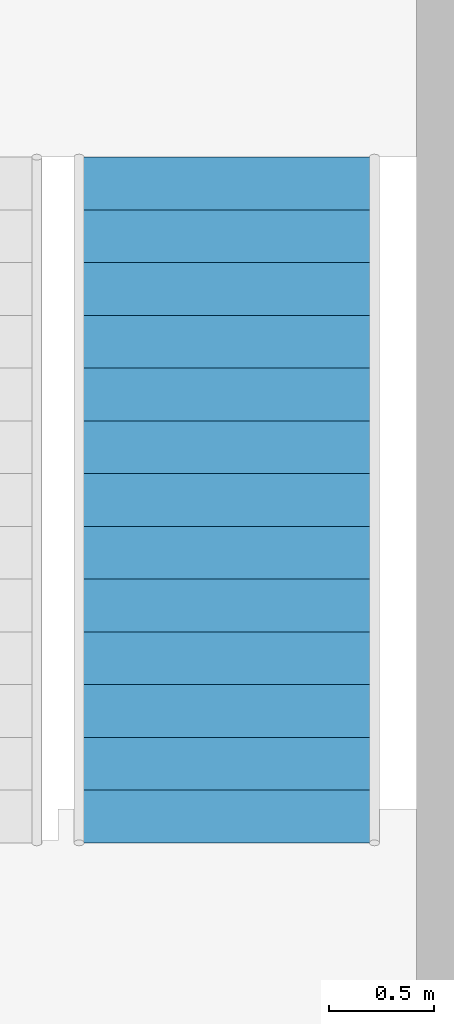
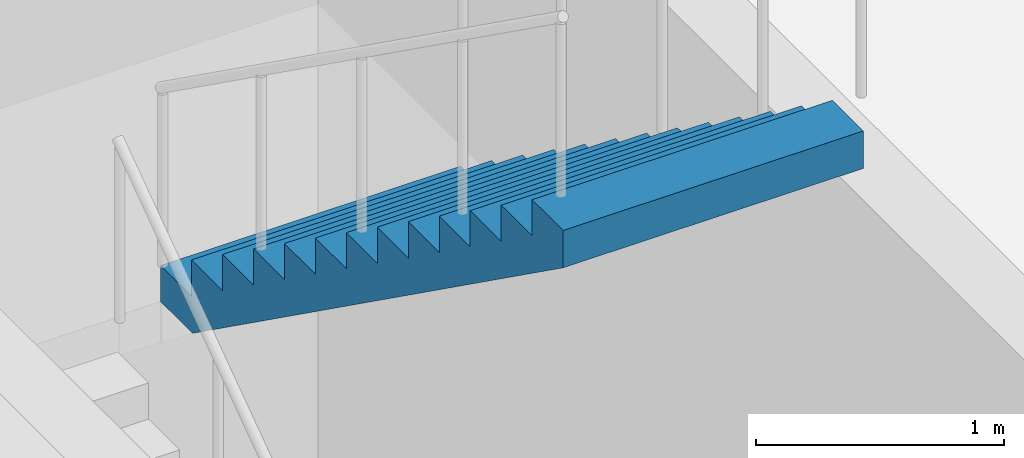
# One storey, part 13 of 18: 1 stair flight, 1 element without a shape of its own.
"""IFC4 building model written with IfcOpenShell, lengths in metres."""

from ifc_helpers import new_model, si_unit, direction, frame, origin, place, context, subcontext, project, spatial, polyline, outline, extrude, material, type_object, element, aggregate, save


model = new_model("IFC4")

# Units and contexts
model_context = context("Model", 3, precision=1e-05, world=origin(), true_north=direction((0.0, 1.0)))
body_context = subcontext(model_context, "Body", "Model", "MODEL_VIEW")
ifc_project = project(units=[si_unit("LENGTHUNIT", "METRE"), si_unit("AREAUNIT", "SQUARE_METRE"), si_unit("VOLUMEUNIT", "CUBIC_METRE"), si_unit("PLANEANGLEUNIT", "RADIAN"), si_unit("MASSUNIT", "GRAM", prefix="KILO")], contexts=[model_context])

# Site, building, storey
site_placement = place(None, origin())
site = spatial("IfcSite", under=ifc_project, at=site_placement, CompositionType="ELEMENT")
building_placement = place(site_placement, origin())
building = spatial("IfcBuilding", under=site, at=building_placement, Name="Calvaro Tower", CompositionType="ELEMENT")
storey_placement = place(building_placement, frame((0.0, 0.0, 90.0)))
storey = spatial("IfcBuildingStorey", under=building, at=storey_placement, Name="L22", CompositionType="ELEMENT", Elevation=90.0)

# Stair, stair flight
ifc_material_1 = material(Name="Concrete C40/50", Category="concrete")
stair_type = type_object("IfcStairType", Name="Exit stair 1400 2 flights", PredefinedType="HALF_TURN_STAIR", material=ifc_material_1)
stair_placement = place(storey_placement, origin())
stair = element("IfcStair", 1, at=stair_placement, inside=storey, type_object=stair_type, Name="Exit stair S5", PredefinedType="HALF_TURN_STAIR")
ifc_material_2 = material(Name="Concrete C40/50", Category="concrete")
stair_flight_type = type_object("IfcStairFlightType", Name="Stair flight", PredefinedType="STRAIGHT", material=ifc_material_2)
stair_flight_placement = place(storey_placement, frame((63.300048828125, 33.0, 2.5), z_axis=(0.0, 0.0, 1.0), x_axis=(0.0, -1.0, 0.0)))
stair_flight = element("IfcStairFlight", 2, at=stair_flight_placement, type_object=stair_flight_type, Name="Exit stair 5, flight 2", NumberOfRisers=14, NumberOfTreads=13, PredefinedType="STRAIGHT", RiserHeight=0.178571429, TreadLength=0.25, context=body_context, shape_type="SweptSolid", body=[
    extrude(outline(polyline([(0.0, 0.0), (0.0, 0.178466796875), (0.25, 0.178466796875), (0.25, 0.357177734375), (0.5, 0.357177734375), (0.5, 0.53564453125), (0.75, 0.53564453125), (0.75, 0.71435546875), (1.0, 0.71435546875), (1.0, 0.892822265625), (1.25, 0.892822265625), (1.25, 1.071533203125), (1.5, 1.071533203125), (1.5, 1.25), (1.75, 1.25), (1.75, 1.428466796875), (2.0, 1.428466796875), (2.0, 1.607177734375), (2.25, 1.607177734375), (2.25, 1.78564453125), (2.5, 1.78564453125), (2.5, 1.96435546875), (2.75, 1.96435546875), (2.75, 2.142822265625), (3.0, 2.142822265625), (3.0, 2.321533203125), (3.25, 2.321533203125), (3.25, 2.5), (3.25, 2.13720703125), (0.2578125, 0.0), (0.0, 0.0)])), frame((0.0, 0.699951171875, 0.0), z_axis=(0.0, -1.0, 0.0), x_axis=(1.0, 0.0, 0.0)), (0.0, 0.0, 1.0), 1.39990234375),
])
aggregate(stair, [stair_flight])

save(model, "model.ifc")
